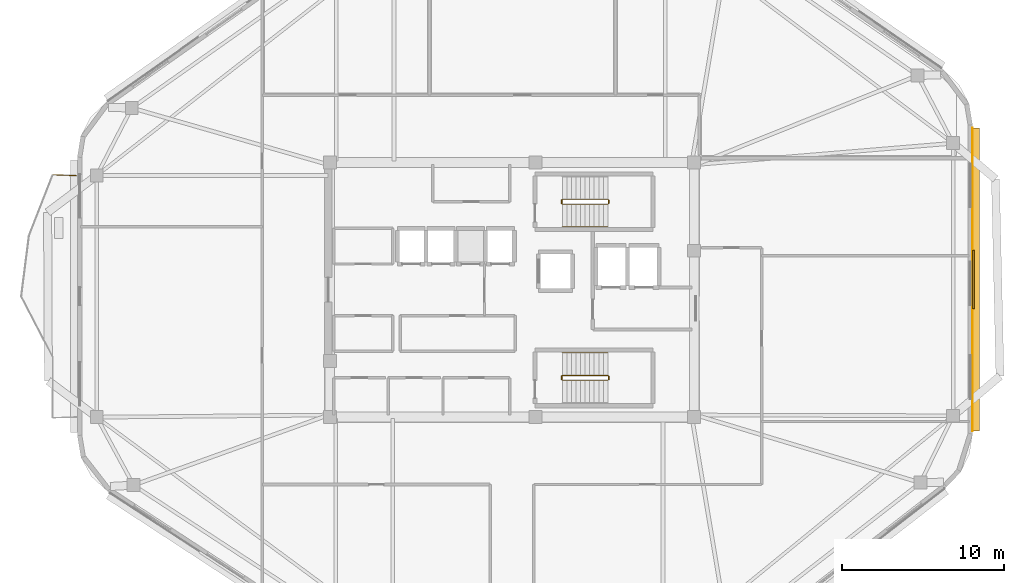
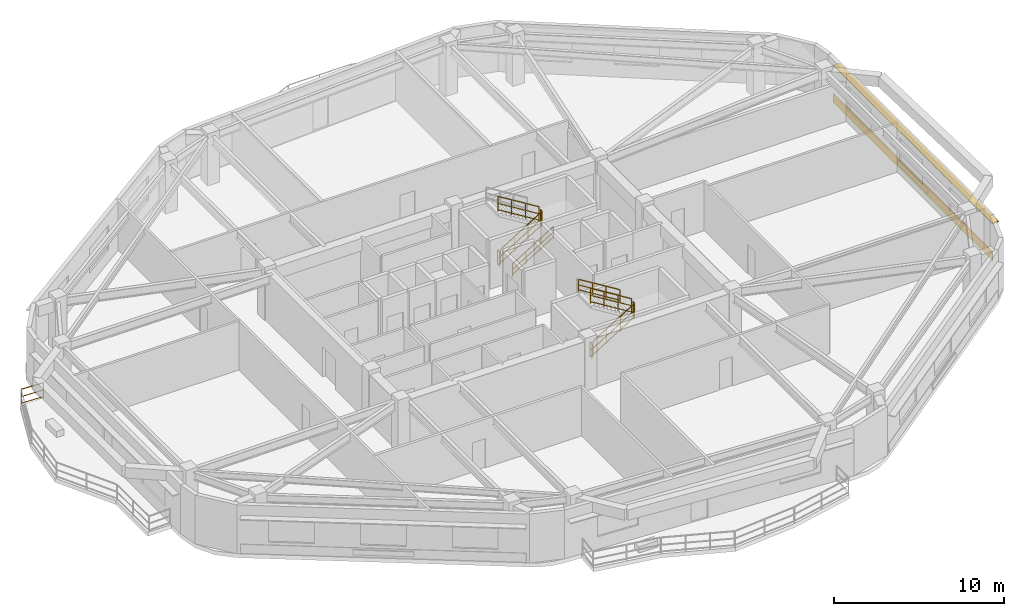
# One storey, part 8 of 10: 11 railings, 2 shading devices, 1 covering.
"""IFC4 building model written with IfcOpenShell, lengths in metres."""

from ifc_helpers import new_model, si_unit, direction, frame, origin, origin_2d, place, context, subcontext, project, spatial, rectangle, extrude, material, layer, layer_set, type_object, element, save


model = new_model("IFC4")

# Units and contexts
model_context = context("Model", 3, precision=1e-05, world=origin(), true_north=direction((0.0, 1.0)))
body_context = subcontext(model_context, "Body", "Model", "MODEL_VIEW")
ifc_project = project(units=[si_unit("LENGTHUNIT", "METRE"), si_unit("AREAUNIT", "SQUARE_METRE"), si_unit("VOLUMEUNIT", "CUBIC_METRE"), si_unit("PLANEANGLEUNIT", "RADIAN"), si_unit("MASSUNIT", "GRAM", prefix="KILO")], contexts=[model_context])

# Site, building, storey
site_placement = place(None, origin())
site = spatial("IfcSite", under=ifc_project, at=site_placement, CompositionType="ELEMENT")
building_placement = place(site_placement, origin())
building = spatial("IfcBuilding", under=site, at=building_placement, Name="Zulverin Broadcast Headquarters", CompositionType="ELEMENT")
storey_placement = place(building_placement, frame((0.0, 0.0, 236.39990234375)))
storey = spatial("IfcBuildingStorey", under=building, at=storey_placement, Name="L60", CompositionType="ELEMENT", Elevation=236.39990234375)

# Covering
ifc_material_1 = material(Name="Brushed pale-aluminium rainscreen cladding", Category="aluminium")
ifc_layer_1 = layer(ifc_material_1, 0.0400390625, Name="Brushed pale-aluminium rainscreen cladding", Category="aluminium")
ifc_layer_set_1 = layer_set([ifc_layer_1], Name="Brushed pale-aluminium rainscreen cladding")
covering_type = type_object("IfcCoveringType", Name="COV-CLAD-PALE", PredefinedType="CLADDING", material=ifc_layer_set_1)
covering_placement = place(storey_placement, frame((65.510009765625, 25.841796875, 0.05517578125), z_axis=(0.0, 0.0, 1.0), x_axis=(0.0, 1.0, 0.0)))
element("IfcCovering", 1, at=covering_placement, inside=storey, type_object=covering_type, Name="L60 Brushed Pale-Aluminium Spandrel Cladding 3", PredefinedType="CLADDING", context=body_context, shape_type="SweptSolid", body=[
    extrude(rectangle(XDim=18.76806640625, YDim=0.0400390625, at=origin_2d()), origin(), (0.0, 0.0, 1.0), 0.64990234375),
])

# Railings
ifc_material_2 = material(Name="Brushed stainless steel & laminated glass balustrade", Category="steel")
railing_type_1 = type_object("IfcRailingType", Name="RL-GUARD-1150", PredefinedType="GUARDRAIL", material=ifc_material_2)
railing_1_placement = place(storey_placement, frame((10.06005859375, 32.265380859375, 0.0)))
element("IfcRailing", 2, at=railing_1_placement, inside=storey, type_object=railing_type_1, Name="L60 Vertical-Forest Balcony Guardrail BAL_W Segment 01", PredefinedType="GUARDRAIL", context=body_context, shape_type="SweptSolid", body=[
    extrude(rectangle(XDim=0.048095703125, YDim=0.048095703125, at=origin_2d()), frame((0.0, 0.0, 1.1259765625), z_axis=(-0.999181155166, 0.040460093435, 0.0), x_axis=(-0.040460093435, -0.999181155166, 0.0)), (0.0, 0.0, 1.0), 1.46630859375),
    extrude(rectangle(XDim=0.0419921875, YDim=0.0419921875, at=origin_2d()), frame((0.0, 0.0, 0.597900390625), z_axis=(-0.999181155166, 0.040460093435, 0.0), x_axis=(-0.040460093435, -0.999181155166, 0.0)), (0.0, 0.0, 1.0), 1.46630859375),
    extrude(rectangle(XDim=0.0419921875, YDim=0.0419921875, at=origin_2d()), frame((0.0, 0.0, 0.1201171875), z_axis=(-0.999181155166, 0.040460093435, 0.0), x_axis=(-0.040460093435, -0.999181155166, 0.0)), (0.0, 0.0, 1.0), 1.46630859375),
    extrude(rectangle(XDim=0.0419921875, YDim=0.0419921875, at=origin_2d()), origin(), (0.0, 0.0, 1.0), 1.101806640625),
    extrude(rectangle(XDim=0.0419921875, YDim=0.0419921875, at=origin_2d()), frame((-1.465087890625, 0.059326171875, 0.0)), (0.0, 0.0, 1.0), 1.101806640625),
])
ifc_material_3 = material(Name="Painted galvanized steel tubular guardrail S355JR", Category="steel")
railing_type_2 = type_object("IfcRailingType", Name="RL-ST-GUARD", PredefinedType="GUARDRAIL", material=ifc_material_3)
railing_2_placement = place(storey_placement, frame((40.1298828125, 30.5, 0.1728515625)))
element("IfcRailing", 3, at=railing_2_placement, inside=storey, type_object=railing_type_2, Name="L60 ST-1 stair guard 1", PredefinedType="GUARDRAIL", context=body_context, shape_type="SweptSolid", body=[
    extrude(rectangle(XDim=0.048095703125, YDim=0.048095703125, at=origin_2d()), frame((0.0, 0.0, 1.076171875), z_axis=(0.851089632645, 0.0, 0.525020415988), x_axis=(0.0, 1.0, 0.0)), (0.0, 0.0, 1.0), 3.2900390625),
    extrude(rectangle(XDim=0.0419921875, YDim=0.0419921875, at=origin_2d()), frame((0.0, 0.0, 0.572021484375), z_axis=(0.851089632645, 0.0, 0.525020415988), x_axis=(0.0, 1.0, 0.0)), (0.0, 0.0, 1.0), 3.2900390625),
    extrude(rectangle(XDim=0.0419921875, YDim=0.0419921875, at=origin_2d()), frame((0.0, 0.0, 0.1201171875), z_axis=(0.851089632645, 0.0, 0.525020415988), x_axis=(0.0, 1.0, 0.0)), (0.0, 0.0, 1.0), 3.2900390625),
    extrude(rectangle(XDim=0.0419921875, YDim=0.0419921875, at=origin_2d()), origin(), (0.0, 0.0, 1.0), 1.052001953125),
    extrude(rectangle(XDim=0.0419921875, YDim=0.0419921875, at=origin_2d()), frame((0.933349609375, 0.0, 0.57568359375)), (0.0, 0.0, 1.0), 1.052001953125),
    extrude(rectangle(XDim=0.0419921875, YDim=0.0419921875, at=origin_2d()), frame((1.86669921875, 0.0, 1.151611328125)), (0.0, 0.0, 1.0), 1.052001953125),
    extrude(rectangle(XDim=0.0419921875, YDim=0.0419921875, at=origin_2d()), frame((2.800048828125, 0.0, 1.727294921875)), (0.0, 0.0, 1.0), 1.052001953125),
])
railing_3_placement = place(storey_placement, frame((42.97998046875, 30.550048828125, 1.900146484375)))
element("IfcRailing", 4, at=railing_3_placement, inside=storey, type_object=railing_type_2, Name="L60 ST-1 stair guard 2", PredefinedType="GUARDRAIL", context=body_context, shape_type="SweptSolid", body=[
    extrude(rectangle(XDim=0.048095703125, YDim=0.048095703125, at=origin_2d()), frame((0.0, 0.0, 1.076171875), z_axis=(0.0, 1.0, 0.0), x_axis=(-1.0, 0.0, 0.0)), (0.0, 0.0, 1.0), 0.199951171875),
    extrude(rectangle(XDim=0.0419921875, YDim=0.0419921875, at=origin_2d()), frame((0.0, 0.0, 0.572021484375), z_axis=(0.0, 1.0, 0.0), x_axis=(-1.0, 0.0, 0.0)), (0.0, 0.0, 1.0), 0.199951171875),
    extrude(rectangle(XDim=0.0419921875, YDim=0.0419921875, at=origin_2d()), frame((0.0, 0.0, 0.1201171875), z_axis=(0.0, 1.0, 0.0), x_axis=(-1.0, 0.0, 0.0)), (0.0, 0.0, 1.0), 0.199951171875),
    extrude(rectangle(XDim=0.0419921875, YDim=0.0419921875, at=origin_2d()), origin(), (0.0, 0.0, 1.0), 1.052001953125),
    extrude(rectangle(XDim=0.0419921875, YDim=0.0419921875, at=origin_2d()), frame((0.0, 0.199951171875, 0.0)), (0.0, 0.0, 1.0), 1.052001953125),
])
railing_4_placement = place(storey_placement, frame((42.929931640625, 30.800048828125, 2.07275390625)))
element("IfcRailing", 5, at=railing_4_placement, inside=storey, type_object=railing_type_2, Name="L60 ST-1 stair guard 3", PredefinedType="GUARDRAIL", context=body_context, shape_type="SweptSolid", body=[
    extrude(rectangle(XDim=0.048095703125, YDim=0.048095703125, at=origin_2d()), frame((0.0, 0.0, 1.076171875), z_axis=(-0.851089632645, 0.0, 0.525020415988), x_axis=(0.0, -1.0, 0.0)), (0.0, 0.0, 1.0), 3.2900390625),
    extrude(rectangle(XDim=0.0419921875, YDim=0.0419921875, at=origin_2d()), frame((0.0, 0.0, 0.572021484375), z_axis=(-0.851089632645, 0.0, 0.525020415988), x_axis=(0.0, -1.0, 0.0)), (0.0, 0.0, 1.0), 3.2900390625),
    extrude(rectangle(XDim=0.0419921875, YDim=0.0419921875, at=origin_2d()), frame((0.0, 0.0, 0.1201171875), z_axis=(-0.851089632645, 0.0, 0.525020415988), x_axis=(0.0, -1.0, 0.0)), (0.0, 0.0, 1.0), 3.2900390625),
    extrude(rectangle(XDim=0.0419921875, YDim=0.0419921875, at=origin_2d()), origin(), (0.0, 0.0, 1.0), 1.052001953125),
    extrude(rectangle(XDim=0.0419921875, YDim=0.0419921875, at=origin_2d()), frame((-0.933349609375, 0.0, 0.57568359375)), (0.0, 0.0, 1.0), 1.052001953125),
    extrude(rectangle(XDim=0.0419921875, YDim=0.0419921875, at=origin_2d()), frame((-1.86669921875, 0.0, 1.151611328125)), (0.0, 0.0, 1.0), 1.052001953125),
    extrude(rectangle(XDim=0.0419921875, YDim=0.0419921875, at=origin_2d()), frame((-2.800048828125, 0.0, 1.727294921875)), (0.0, 0.0, 1.0), 1.052001953125),
])
railing_5_placement = place(storey_placement, frame((40.080078125, 30.550048828125, 0.0)))
element("IfcRailing", 6, at=railing_5_placement, inside=storey, type_object=railing_type_2, Name="L60 ST-1 stair guard 4", PredefinedType="GUARDRAIL", context=body_context, shape_type="SweptSolid", body=[
    extrude(rectangle(XDim=0.048095703125, YDim=0.048095703125, at=origin_2d()), frame((0.0, 0.0, 1.076171875), z_axis=(0.0, 1.0, 0.0), x_axis=(-1.0, 0.0, 0.0)), (0.0, 0.0, 1.0), 0.199951171875),
    extrude(rectangle(XDim=0.0419921875, YDim=0.0419921875, at=origin_2d()), frame((0.0, 0.0, 0.572021484375), z_axis=(0.0, 1.0, 0.0), x_axis=(-1.0, 0.0, 0.0)), (0.0, 0.0, 1.0), 0.199951171875),
    extrude(rectangle(XDim=0.0419921875, YDim=0.0419921875, at=origin_2d()), frame((0.0, 0.0, 0.1201171875), z_axis=(0.0, 1.0, 0.0), x_axis=(-1.0, 0.0, 0.0)), (0.0, 0.0, 1.0), 0.199951171875),
    extrude(rectangle(XDim=0.0419921875, YDim=0.0419921875, at=origin_2d()), origin(), (0.0, 0.0, 1.0), 1.052001953125),
    extrude(rectangle(XDim=0.0419921875, YDim=0.0419921875, at=origin_2d()), frame((0.0, 0.199951171875, 0.0)), (0.0, 0.0, 1.0), 1.052001953125),
])
railing_6_placement = place(storey_placement, frame((40.1298828125, 19.60009765625, 0.1728515625)))
element("IfcRailing", 7, at=railing_6_placement, inside=storey, type_object=railing_type_2, Name="L60 ST-2 stair guard 1", PredefinedType="GUARDRAIL", context=body_context, shape_type="SweptSolid", body=[
    extrude(rectangle(XDim=0.048095703125, YDim=0.048095703125, at=origin_2d()), frame((0.0, 0.0, 1.076171875), z_axis=(0.851089632645, 0.0, 0.525020415988), x_axis=(0.0, 1.0, 0.0)), (0.0, 0.0, 1.0), 3.2900390625),
    extrude(rectangle(XDim=0.0419921875, YDim=0.0419921875, at=origin_2d()), frame((0.0, 0.0, 0.572021484375), z_axis=(0.851089632645, 0.0, 0.525020415988), x_axis=(0.0, 1.0, 0.0)), (0.0, 0.0, 1.0), 3.2900390625),
    extrude(rectangle(XDim=0.0419921875, YDim=0.0419921875, at=origin_2d()), frame((0.0, 0.0, 0.1201171875), z_axis=(0.851089632645, 0.0, 0.525020415988), x_axis=(0.0, 1.0, 0.0)), (0.0, 0.0, 1.0), 3.2900390625),
    extrude(rectangle(XDim=0.0419921875, YDim=0.0419921875, at=origin_2d()), origin(), (0.0, 0.0, 1.0), 1.052001953125),
    extrude(rectangle(XDim=0.0419921875, YDim=0.0419921875, at=origin_2d()), frame((0.933349609375, 0.0, 0.57568359375)), (0.0, 0.0, 1.0), 1.052001953125),
    extrude(rectangle(XDim=0.0419921875, YDim=0.0419921875, at=origin_2d()), frame((1.86669921875, 0.0, 1.151611328125)), (0.0, 0.0, 1.0), 1.052001953125),
    extrude(rectangle(XDim=0.0419921875, YDim=0.0419921875, at=origin_2d()), frame((2.800048828125, 0.0, 1.727294921875)), (0.0, 0.0, 1.0), 1.052001953125),
])
railing_7_placement = place(storey_placement, frame((42.97998046875, 19.64990234375, 1.900146484375)))
element("IfcRailing", 8, at=railing_7_placement, inside=storey, type_object=railing_type_2, Name="L60 ST-2 stair guard 2", PredefinedType="GUARDRAIL", context=body_context, shape_type="SweptSolid", body=[
    extrude(rectangle(XDim=0.048095703125, YDim=0.048095703125, at=origin_2d()), frame((0.0, 0.0, 1.076171875), z_axis=(0.0, 1.0, 0.0), x_axis=(-1.0, 0.0, 0.0)), (0.0, 0.0, 1.0), 0.2001953125),
    extrude(rectangle(XDim=0.0419921875, YDim=0.0419921875, at=origin_2d()), frame((0.0, 0.0, 0.572021484375), z_axis=(0.0, 1.0, 0.0), x_axis=(-1.0, 0.0, 0.0)), (0.0, 0.0, 1.0), 0.2001953125),
    extrude(rectangle(XDim=0.0419921875, YDim=0.0419921875, at=origin_2d()), frame((0.0, 0.0, 0.1201171875), z_axis=(0.0, 1.0, 0.0), x_axis=(-1.0, 0.0, 0.0)), (0.0, 0.0, 1.0), 0.2001953125),
    extrude(rectangle(XDim=0.0419921875, YDim=0.0419921875, at=origin_2d()), origin(), (0.0, 0.0, 1.0), 1.052001953125),
    extrude(rectangle(XDim=0.0419921875, YDim=0.0419921875, at=origin_2d()), frame((0.0, 0.2001953125, 0.0)), (0.0, 0.0, 1.0), 1.052001953125),
])
railing_8_placement = place(storey_placement, frame((42.929931640625, 19.89990234375, 2.07275390625)))
element("IfcRailing", 9, at=railing_8_placement, inside=storey, type_object=railing_type_2, Name="L60 ST-2 stair guard 3", PredefinedType="GUARDRAIL", context=body_context, shape_type="SweptSolid", body=[
    extrude(rectangle(XDim=0.048095703125, YDim=0.048095703125, at=origin_2d()), frame((0.0, 0.0, 1.076171875), z_axis=(-0.851089632645, 0.0, 0.525020415988), x_axis=(0.0, -1.0, 0.0)), (0.0, 0.0, 1.0), 3.2900390625),
    extrude(rectangle(XDim=0.0419921875, YDim=0.0419921875, at=origin_2d()), frame((0.0, 0.0, 0.572021484375), z_axis=(-0.851089632645, 0.0, 0.525020415988), x_axis=(0.0, -1.0, 0.0)), (0.0, 0.0, 1.0), 3.2900390625),
    extrude(rectangle(XDim=0.0419921875, YDim=0.0419921875, at=origin_2d()), frame((0.0, 0.0, 0.1201171875), z_axis=(-0.851089632645, 0.0, 0.525020415988), x_axis=(0.0, -1.0, 0.0)), (0.0, 0.0, 1.0), 3.2900390625),
    extrude(rectangle(XDim=0.0419921875, YDim=0.0419921875, at=origin_2d()), origin(), (0.0, 0.0, 1.0), 1.052001953125),
    extrude(rectangle(XDim=0.0419921875, YDim=0.0419921875, at=origin_2d()), frame((-0.933349609375, 0.0, 0.57568359375)), (0.0, 0.0, 1.0), 1.052001953125),
    extrude(rectangle(XDim=0.0419921875, YDim=0.0419921875, at=origin_2d()), frame((-1.86669921875, 0.0, 1.151611328125)), (0.0, 0.0, 1.0), 1.052001953125),
    extrude(rectangle(XDim=0.0419921875, YDim=0.0419921875, at=origin_2d()), frame((-2.800048828125, 0.0, 1.727294921875)), (0.0, 0.0, 1.0), 1.052001953125),
])
railing_9_placement = place(storey_placement, frame((40.080078125, 19.64990234375, 0.0)))
element("IfcRailing", 10, at=railing_9_placement, inside=storey, type_object=railing_type_2, Name="L60 ST-2 stair guard 4", PredefinedType="GUARDRAIL", context=body_context, shape_type="SweptSolid", body=[
    extrude(rectangle(XDim=0.048095703125, YDim=0.048095703125, at=origin_2d()), frame((0.0, 0.0, 1.076171875), z_axis=(0.0, 1.0, 0.0), x_axis=(-1.0, 0.0, 0.0)), (0.0, 0.0, 1.0), 0.2001953125),
    extrude(rectangle(XDim=0.0419921875, YDim=0.0419921875, at=origin_2d()), frame((0.0, 0.0, 0.572021484375), z_axis=(0.0, 1.0, 0.0), x_axis=(-1.0, 0.0, 0.0)), (0.0, 0.0, 1.0), 0.2001953125),
    extrude(rectangle(XDim=0.0419921875, YDim=0.0419921875, at=origin_2d()), frame((0.0, 0.0, 0.1201171875), z_axis=(0.0, 1.0, 0.0), x_axis=(-1.0, 0.0, 0.0)), (0.0, 0.0, 1.0), 0.2001953125),
    extrude(rectangle(XDim=0.0419921875, YDim=0.0419921875, at=origin_2d()), origin(), (0.0, 0.0, 1.0), 1.052001953125),
    extrude(rectangle(XDim=0.0419921875, YDim=0.0419921875, at=origin_2d()), frame((0.0, 0.2001953125, 0.0)), (0.0, 0.0, 1.0), 1.052001953125),
])
ifc_material_4 = material(Name="Brushed stainless steel 48 mm handrail", Category="steel")
railing_type_3 = type_object("IfcRailingType", Name="RL-ST-HAND", PredefinedType="HANDRAIL", material=ifc_material_4)
railing_10_placement = place(storey_placement, frame((40.1298828125, 29.10009765625, 0.1728515625)))
element("IfcRailing", 11, at=railing_10_placement, inside=storey, type_object=railing_type_3, Name="L60 ST-1 stair handrail 1", PredefinedType="HANDRAIL", context=body_context, shape_type="SweptSolid", body=[
    extrude(rectangle(XDim=0.048095703125, YDim=0.048095703125, at=origin_2d()), frame((0.0, 0.0, 0.8759765625), z_axis=(0.851089632645, 0.0, 0.525020415988), x_axis=(0.0, 1.0, 0.0)), (0.0, 0.0, 1.0), 3.2900390625),
    extrude(rectangle(XDim=0.0419921875, YDim=0.0419921875, at=origin_2d()), frame((0.0, 0.0, 0.468017578125), z_axis=(0.851089632645, 0.0, 0.525020415988), x_axis=(0.0, 1.0, 0.0)), (0.0, 0.0, 1.0), 3.2900390625),
    extrude(rectangle(XDim=0.0419921875, YDim=0.0419921875, at=origin_2d()), frame((0.0, 0.0, 0.1201171875), z_axis=(0.851089632645, 0.0, 0.525020415988), x_axis=(0.0, 1.0, 0.0)), (0.0, 0.0, 1.0), 3.2900390625),
    extrude(rectangle(XDim=0.0419921875, YDim=0.0419921875, at=origin_2d()), origin(), (0.0, 0.0, 1.0), 0.851806640625),
    extrude(rectangle(XDim=0.0419921875, YDim=0.0419921875, at=origin_2d()), frame((0.933349609375, 0.0, 0.57568359375)), (0.0, 0.0, 1.0), 0.851806640625),
    extrude(rectangle(XDim=0.0419921875, YDim=0.0419921875, at=origin_2d()), frame((1.86669921875, 0.0, 1.151611328125)), (0.0, 0.0, 1.0), 0.851806640625),
    extrude(rectangle(XDim=0.0419921875, YDim=0.0419921875, at=origin_2d()), frame((2.800048828125, 0.0, 1.727294921875)), (0.0, 0.0, 1.0), 0.851806640625),
])
railing_11_placement = place(storey_placement, frame((42.929931640625, 21.300048828125, 2.07275390625)))
element("IfcRailing", 12, at=railing_11_placement, inside=storey, type_object=railing_type_3, Name="L60 ST-2 stair handrail 2", PredefinedType="HANDRAIL", context=body_context, shape_type="SweptSolid", body=[
    extrude(rectangle(XDim=0.048095703125, YDim=0.048095703125, at=origin_2d()), frame((0.0, 0.0, 0.8759765625), z_axis=(-0.851089632645, 0.0, 0.525020415988), x_axis=(0.0, -1.0, 0.0)), (0.0, 0.0, 1.0), 3.2900390625),
    extrude(rectangle(XDim=0.0419921875, YDim=0.0419921875, at=origin_2d()), frame((0.0, 0.0, 0.468017578125), z_axis=(-0.851089632645, 0.0, 0.525020415988), x_axis=(0.0, -1.0, 0.0)), (0.0, 0.0, 1.0), 3.2900390625),
    extrude(rectangle(XDim=0.0419921875, YDim=0.0419921875, at=origin_2d()), frame((0.0, 0.0, 0.1201171875), z_axis=(-0.851089632645, 0.0, 0.525020415988), x_axis=(0.0, -1.0, 0.0)), (0.0, 0.0, 1.0), 3.2900390625),
    extrude(rectangle(XDim=0.0419921875, YDim=0.0419921875, at=origin_2d()), origin(), (0.0, 0.0, 1.0), 0.851806640625),
    extrude(rectangle(XDim=0.0419921875, YDim=0.0419921875, at=origin_2d()), frame((-0.933349609375, 0.0, 0.57568359375)), (0.0, 0.0, 1.0), 0.851806640625),
    extrude(rectangle(XDim=0.0419921875, YDim=0.0419921875, at=origin_2d()), frame((-1.86669921875, 0.0, 1.151611328125)), (0.0, 0.0, 1.0), 0.851806640625),
    extrude(rectangle(XDim=0.0419921875, YDim=0.0419921875, at=origin_2d()), frame((-2.800048828125, 0.0, 1.727294921875)), (0.0, 0.0, 1.0), 0.851806640625),
])

# Shading devices
ifc_material_5 = material(Name="Anodized pale-metal aluminium acoustic louvre", Category="aluminium")
shading_device_type_1 = type_object("IfcShadingDeviceType", Name="SHD-LOUVRE-350", PredefinedType="USERDEFINED", material=ifc_material_5)
shading_device_1_placement = place(storey_placement, frame((65.5400390625, 25.841796875, 0.2451171875), z_axis=(0.0, 0.0, 1.0), x_axis=(0.0, 1.0, 0.0)))
element("IfcShadingDevice", 13, at=shading_device_1_placement, inside=storey, type_object=shading_device_type_1, Name="L60 Spandrel Intake Louvre 3", ObjectType="LOUVRE", PredefinedType="USERDEFINED", context=body_context, shape_type="SweptSolid", body=[
    extrude(rectangle(XDim=3.60009765625, YDim=0.1201171875, at=origin_2d()), origin(), (0.0, 0.0, 1.0), 0.35009765625),
])
ifc_material_6 = material(Name="Anodized pale-metal aluminium sunshade", Category="aluminium")
ifc_layer_2 = layer(ifc_material_6, 0.06005859375, Name="Anodized pale-metal aluminium sunshade", Category="aluminium")
ifc_layer_set_2 = layer_set([ifc_layer_2], Name="Anodized pale-metal aluminium sunshade")
shading_device_type_2 = type_object("IfcShadingDeviceType", Name="SS-01_PALE_METAL_ALUMINIUM_SUNSHADE", PredefinedType="USERDEFINED", material=ifc_layer_set_2)
shading_device_2_placement = place(storey_placement, frame((65.699951171875, 25.841796875, 2.7099609375), z_axis=(0.0, 0.0, 1.0), x_axis=(0.0, 1.0, 0.0)))
element("IfcShadingDevice", 14, at=shading_device_2_placement, inside=storey, type_object=shading_device_type_2, Name="L60 Horizontal Pale-Metal Sunshade Band 3", ObjectType="SUNSHADE", PredefinedType="USERDEFINED", context=body_context, shape_type="SweptSolid", body=[
    extrude(rectangle(XDim=18.76806640625, YDim=0.449951171875, at=origin_2d()), origin(), (0.0, 0.0, 1.0), 0.06005859375),
])

save(model, "model.ifc")
